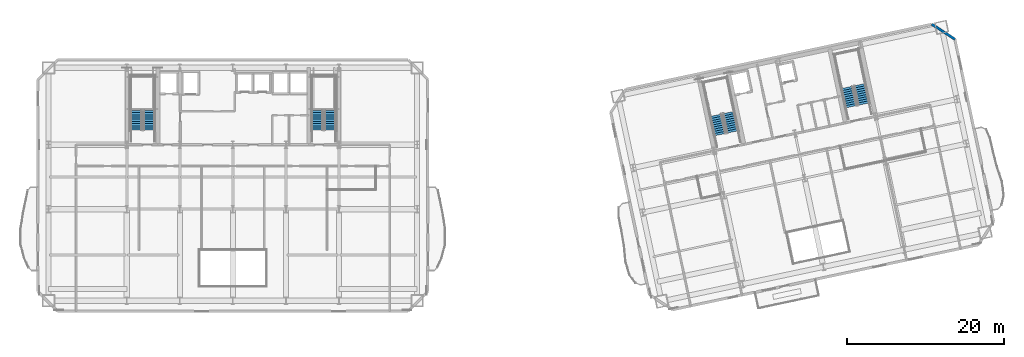
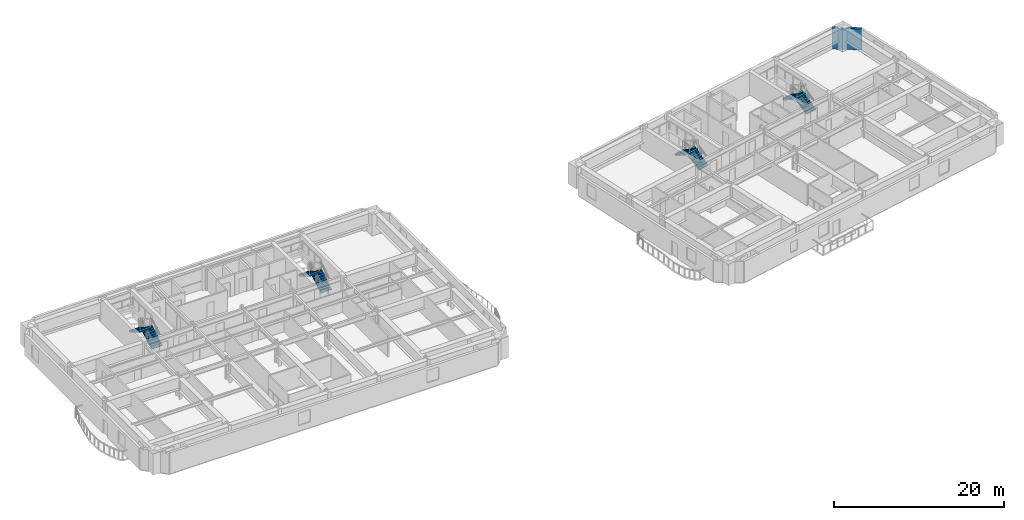
# One storey, part 11 of 16: 8 stair flights, 1 wall, 4 elements without a shape of their own.
"""IFC4 building model written with IfcOpenShell, lengths in metres."""

from ifc_helpers import new_model, si_unit, direction, frame, frame_2d, origin, place, context, subcontext, project, spatial, polyline, rectangle, outline, extrude, material, layer, layer_set, type_object, element, aggregate, save


model = new_model("IFC4")

# Units and contexts
model_context = context("Model", 3, precision=1e-05, world=origin(), true_north=direction((0.0, 1.0)))
body_context = subcontext(model_context, "Body", "Model", "MODEL_VIEW")
ifc_project = project(units=[si_unit("LENGTHUNIT", "METRE"), si_unit("AREAUNIT", "SQUARE_METRE"), si_unit("VOLUMEUNIT", "CUBIC_METRE"), si_unit("PLANEANGLEUNIT", "RADIAN"), si_unit("MASSUNIT", "GRAM", prefix="KILO")], contexts=[model_context])

# Site, building, storey
site_placement = place(None, origin())
site = spatial("IfcSite", under=ifc_project, at=site_placement, CompositionType="ELEMENT")
building_placement = place(site_placement, origin())
building = spatial("IfcBuilding", under=site, at=building_placement, Name="Haevon Station Towers", CompositionType="ELEMENT")
storey_placement = place(building_placement, frame((0.0, 0.0, 90.0)))
storey = spatial("IfcBuildingStorey", under=building, at=storey_placement, Name="L23", CompositionType="ELEMENT", Elevation=90.0)

# Wall
ifc_material_1 = material(Name="Precast concrete C45/55", Category="concrete")
ifc_layer = layer(ifc_material_1, 0.320068359375)
ifc_layer_set = layer_set([ifc_layer], Name="Precast concrete C45/55")
wall_type = type_object("IfcWallType", Name="WL-EXT-PIER320", PredefinedType="SOLIDWALL", material=ifc_layer_set)
wall_placement = place(storey_placement, frame((126.408935546875, 53.54443359375, 0.0), z_axis=(0.0, 0.0, 1.0), x_axis=(0.838672309694, -0.544636352948, 0.0)))
element("IfcWall", 1, at=wall_placement, inside=storey, type_object=wall_type, Name="WL-T2-L23-NEC", PredefinedType="SOLIDWALL", context=body_context, shape_type="SweptSolid", body=[
    extrude(rectangle(XDim=3.535400390625, YDim=0.320068359375, at=frame_2d((1.767578125, 0.0))), origin(), (0.0, 0.0, 1.0), 3.030029296875),
])

# Stair, stair flights
ifc_material_2 = material(Name="Concrete C40/50", Category="concrete")
stair_type = type_object("IfcStairType", Name="STR-DL1450", PredefinedType="USERDEFINED", material=ifc_material_2)
stair_1_placement = place(storey_placement, origin())
stair_1 = element("IfcStair", 2, at=stair_1_placement, inside=storey, type_object=stair_type, Name="L23 Escape Stair ST1", ObjectType="TWO_RETURN_STAIR", PredefinedType="USERDEFINED")
stair_flight_type = type_object("IfcStairFlightType", Name="STF-ST1450", PredefinedType="STRAIGHT", material=ifc_material_2)
stair_flight_1_placement = place(storey_placement, frame((26.85498046875, 40.050048828125, 0.0), z_axis=(0.0, 0.0, 1.0), x_axis=(0.0, 1.0, 0.0)))
stair_flight_1 = element("IfcStairFlight", 3, at=stair_flight_1_placement, type_object=stair_flight_type, Name="L23 ST1 Flight 1", NumberOfRisers=10, NumberOfTreads=9, PredefinedType="STRAIGHT", RiserHeight=0.165, TreadLength=0.28, context=body_context, shape_type="SweptSolid", body=[
    extrude(outline(polyline([(0.0, 0.0), (0.0, 0.1650390625), (0.280029296875, 0.1650390625), (0.280029296875, 0.330078125), (0.56005859375, 0.330078125), (0.56005859375, 0.4951171875), (0.840087890625, 0.4951171875), (0.840087890625, 0.659912109375), (1.1201171875, 0.659912109375), (1.1201171875, 0.824951171875), (1.39990234375, 0.824951171875), (1.39990234375, 0.989990234375), (1.679931640625, 0.989990234375), (1.679931640625, 1.155029296875), (1.9599609375, 1.155029296875), (1.9599609375, 1.320068359375), (2.239990234375, 1.320068359375), (2.239990234375, 1.485107421875), (2.52001953125, 1.485107421875), (2.52001953125, 1.64990234375), (2.52001953125, 1.29931640625), (0.31494140625, 0.0), (0.0, 0.0)])), frame((0.0, 0.72509765625, 0.0), z_axis=(0.0, -1.0, 0.0), x_axis=(1.0, 0.0, 0.0)), (0.0, 0.0, 1.0), 1.449951171875),
])
stair_flight_2_placement = place(storey_placement, frame((25.205078125, 42.570068359375, 1.64990234375), z_axis=(0.0, 0.0, 1.0), x_axis=(0.0, -1.0, 0.0)))
stair_flight_2 = element("IfcStairFlight", 4, at=stair_flight_2_placement, type_object=stair_flight_type, Name="L23 ST1 Flight 2", NumberOfRisers=10, NumberOfTreads=9, PredefinedType="STRAIGHT", RiserHeight=0.165, TreadLength=0.28, context=body_context, shape_type="SweptSolid", body=[
    extrude(outline(polyline([(0.0, 0.0), (0.0, 0.1650390625), (0.280029296875, 0.1650390625), (0.280029296875, 0.330078125), (0.56005859375, 0.330078125), (0.56005859375, 0.4951171875), (0.840087890625, 0.4951171875), (0.840087890625, 0.659912109375), (1.1201171875, 0.659912109375), (1.1201171875, 0.824951171875), (1.39990234375, 0.824951171875), (1.39990234375, 0.989990234375), (1.679931640625, 0.989990234375), (1.679931640625, 1.155029296875), (1.9599609375, 1.155029296875), (1.9599609375, 1.320068359375), (2.239990234375, 1.320068359375), (2.239990234375, 1.485107421875), (2.52001953125, 1.485107421875), (2.52001953125, 1.64990234375), (2.52001953125, 1.29931640625), (0.31494140625, 0.0), (0.0, 0.0)])), frame((0.0, 0.72509765625, 0.0), z_axis=(0.0, -1.0, 0.0), x_axis=(1.0, 0.0, 0.0)), (0.0, 0.0, 1.0), 1.449951171875),
])
aggregate(stair_1, [stair_flight_1, stair_flight_2])

stair_2_placement = place(storey_placement, origin())
stair_2 = element("IfcStair", 5, at=stair_2_placement, inside=storey, type_object=stair_type, Name="L23 Escape Stair ST2", ObjectType="TWO_RETURN_STAIR", PredefinedType="USERDEFINED")
stair_flight_3_placement = place(storey_placement, frame((49.89501953125, 40.050048828125, 0.0), z_axis=(0.0, 0.0, 1.0), x_axis=(0.0, 1.0, 0.0)))
stair_flight_3 = element("IfcStairFlight", 6, at=stair_flight_3_placement, type_object=stair_flight_type, Name="L23 ST2 Flight 1", NumberOfRisers=10, NumberOfTreads=9, PredefinedType="STRAIGHT", RiserHeight=0.165, TreadLength=0.28, context=body_context, shape_type="SweptSolid", body=[
    extrude(outline(polyline([(0.0, 0.0), (0.0, 0.1650390625), (0.280029296875, 0.1650390625), (0.280029296875, 0.330078125), (0.56005859375, 0.330078125), (0.56005859375, 0.4951171875), (0.840087890625, 0.4951171875), (0.840087890625, 0.659912109375), (1.1201171875, 0.659912109375), (1.1201171875, 0.824951171875), (1.39990234375, 0.824951171875), (1.39990234375, 0.989990234375), (1.679931640625, 0.989990234375), (1.679931640625, 1.155029296875), (1.9599609375, 1.155029296875), (1.9599609375, 1.320068359375), (2.239990234375, 1.320068359375), (2.239990234375, 1.485107421875), (2.52001953125, 1.485107421875), (2.52001953125, 1.64990234375), (2.52001953125, 1.29931640625), (0.31494140625, 0.0), (0.0, 0.0)])), frame((0.0, 0.72509765625, 0.0), z_axis=(0.0, -1.0, 0.0), x_axis=(1.0, 0.0, 0.0)), (0.0, 0.0, 1.0), 1.449951171875),
])
stair_flight_4_placement = place(storey_placement, frame((48.2451171875, 42.570068359375, 1.64990234375), z_axis=(0.0, 0.0, 1.0), x_axis=(0.0, -1.0, 0.0)))
stair_flight_4 = element("IfcStairFlight", 7, at=stair_flight_4_placement, type_object=stair_flight_type, Name="L23 ST2 Flight 2", NumberOfRisers=10, NumberOfTreads=9, PredefinedType="STRAIGHT", RiserHeight=0.165, TreadLength=0.28, context=body_context, shape_type="SweptSolid", body=[
    extrude(outline(polyline([(0.0, 0.0), (0.0, 0.1650390625), (0.280029296875, 0.1650390625), (0.280029296875, 0.330078125), (0.56005859375, 0.330078125), (0.56005859375, 0.4951171875), (0.840087890625, 0.4951171875), (0.840087890625, 0.659912109375), (1.1201171875, 0.659912109375), (1.1201171875, 0.824951171875), (1.39990234375, 0.824951171875), (1.39990234375, 0.989990234375), (1.679931640625, 0.989990234375), (1.679931640625, 1.155029296875), (1.9599609375, 1.155029296875), (1.9599609375, 1.320068359375), (2.239990234375, 1.320068359375), (2.239990234375, 1.485107421875), (2.52001953125, 1.485107421875), (2.52001953125, 1.64990234375), (2.52001953125, 1.29931640625), (0.31494140625, 0.0), (0.0, 0.0)])), frame((0.0, 0.72509765625, 0.0), z_axis=(0.0, -1.0, 0.0), x_axis=(1.0, 0.0, 0.0)), (0.0, 0.0, 1.0), 1.449951171875),
])
aggregate(stair_2, [stair_flight_3, stair_flight_4])

stair_3_placement = place(storey_placement, origin())
stair_3 = element("IfcStair", 8, at=stair_3_placement, inside=storey, type_object=stair_type, Name="L23 Escape Stair ST3", ObjectType="TWO_RETURN_STAIR", PredefinedType="USERDEFINED")
stair_flight_5_placement = place(storey_placement, frame((101.1015625, 39.8330078125, 0.0), z_axis=(0.0, 0.0, 1.0), x_axis=(-0.207911690818, 0.978147600734, 0.0)))
stair_flight_5 = element("IfcStairFlight", 9, at=stair_flight_5_placement, type_object=stair_flight_type, Name="L23 ST3 Flight 1", NumberOfRisers=10, NumberOfTreads=9, PredefinedType="STRAIGHT", RiserHeight=0.165, TreadLength=0.28, context=body_context, shape_type="SweptSolid", body=[
    extrude(outline(polyline([(0.0, 0.0), (0.0, 0.1650390625), (0.280029296875, 0.1650390625), (0.280029296875, 0.330078125), (0.56005859375, 0.330078125), (0.56005859375, 0.4951171875), (0.840087890625, 0.4951171875), (0.840087890625, 0.659912109375), (1.1201171875, 0.659912109375), (1.1201171875, 0.824951171875), (1.39990234375, 0.824951171875), (1.39990234375, 0.989990234375), (1.679931640625, 0.989990234375), (1.679931640625, 1.155029296875), (1.9599609375, 1.155029296875), (1.9599609375, 1.320068359375), (2.239990234375, 1.320068359375), (2.239990234375, 1.485107421875), (2.52001953125, 1.485107421875), (2.52001953125, 1.64990234375), (2.52001953125, 1.29931640625), (0.31494140625, 0.0), (0.0, 0.0)])), frame((0.0, 0.72509765625, 0.0), z_axis=(0.0, -1.0, 0.0), x_axis=(1.0, 0.0, 0.0)), (0.0, 0.0, 1.0), 1.449951171875),
])
stair_flight_6_placement = place(storey_placement, frame((98.9638671875, 41.955078125, 1.64990234375), z_axis=(0.0, 0.0, 1.0), x_axis=(0.207911690818, -0.978147600734, 0.0)))
stair_flight_6 = element("IfcStairFlight", 10, at=stair_flight_6_placement, type_object=stair_flight_type, Name="L23 ST3 Flight 2", NumberOfRisers=10, NumberOfTreads=9, PredefinedType="STRAIGHT", RiserHeight=0.165, TreadLength=0.28, context=body_context, shape_type="SweptSolid", body=[
    extrude(outline(polyline([(0.0, 0.0), (0.0, 0.1650390625), (0.280029296875, 0.1650390625), (0.280029296875, 0.330078125), (0.56005859375, 0.330078125), (0.56005859375, 0.4951171875), (0.840087890625, 0.4951171875), (0.840087890625, 0.659912109375), (1.1201171875, 0.659912109375), (1.1201171875, 0.824951171875), (1.39990234375, 0.824951171875), (1.39990234375, 0.989990234375), (1.679931640625, 0.989990234375), (1.679931640625, 1.155029296875), (1.9599609375, 1.155029296875), (1.9599609375, 1.320068359375), (2.239990234375, 1.320068359375), (2.239990234375, 1.485107421875), (2.52001953125, 1.485107421875), (2.52001953125, 1.64990234375), (2.52001953125, 1.29931640625), (0.31494140625, 0.0), (0.0, 0.0)])), frame((0.0, 0.72509765625, 0.0), z_axis=(0.0, -1.0, 0.0), x_axis=(1.0, 0.0, 0.0)), (0.0, 0.0, 1.0), 1.449951171875),
])
aggregate(stair_3, [stair_flight_5, stair_flight_6])

stair_4_placement = place(storey_placement, origin())
stair_4 = element("IfcStair", 11, at=stair_4_placement, inside=storey, type_object=stair_type, Name="L23 Escape Stair ST4", ObjectType="TWO_RETURN_STAIR", PredefinedType="USERDEFINED")
stair_flight_7_placement = place(storey_placement, frame((117.788818359375, 43.380126953125, 0.0), z_axis=(0.0, 0.0, 1.0), x_axis=(-0.207911690818, 0.978147600734, 0.0)))
stair_flight_7 = element("IfcStairFlight", 12, at=stair_flight_7_placement, type_object=stair_flight_type, Name="L23 ST4 Flight 1", NumberOfRisers=10, NumberOfTreads=9, PredefinedType="STRAIGHT", RiserHeight=0.165, TreadLength=0.28, context=body_context, shape_type="SweptSolid", body=[
    extrude(outline(polyline([(0.0, 0.0), (0.0, 0.1650390625), (0.280029296875, 0.1650390625), (0.280029296875, 0.330078125), (0.56005859375, 0.330078125), (0.56005859375, 0.4951171875), (0.840087890625, 0.4951171875), (0.840087890625, 0.659912109375), (1.1201171875, 0.659912109375), (1.1201171875, 0.824951171875), (1.39990234375, 0.824951171875), (1.39990234375, 0.989990234375), (1.679931640625, 0.989990234375), (1.679931640625, 1.155029296875), (1.9599609375, 1.155029296875), (1.9599609375, 1.320068359375), (2.239990234375, 1.320068359375), (2.239990234375, 1.485107421875), (2.52001953125, 1.485107421875), (2.52001953125, 1.64990234375), (2.52001953125, 1.29931640625), (0.31494140625, 0.0), (0.0, 0.0)])), frame((0.0, 0.72509765625, 0.0), z_axis=(0.0, -1.0, 0.0), x_axis=(1.0, 0.0, 0.0)), (0.0, 0.0, 1.0), 1.449951171875),
])
stair_flight_8_placement = place(storey_placement, frame((115.65087890625, 45.501953125, 1.64990234375), z_axis=(0.0, 0.0, 1.0), x_axis=(0.207911690818, -0.978147600734, 0.0)))
stair_flight_8 = element("IfcStairFlight", 13, at=stair_flight_8_placement, type_object=stair_flight_type, Name="L23 ST4 Flight 2", NumberOfRisers=10, NumberOfTreads=9, PredefinedType="STRAIGHT", RiserHeight=0.165, TreadLength=0.28, context=body_context, shape_type="SweptSolid", body=[
    extrude(outline(polyline([(0.0, 0.0), (0.0, 0.1650390625), (0.280029296875, 0.1650390625), (0.280029296875, 0.330078125), (0.56005859375, 0.330078125), (0.56005859375, 0.4951171875), (0.840087890625, 0.4951171875), (0.840087890625, 0.659912109375), (1.1201171875, 0.659912109375), (1.1201171875, 0.824951171875), (1.39990234375, 0.824951171875), (1.39990234375, 0.989990234375), (1.679931640625, 0.989990234375), (1.679931640625, 1.155029296875), (1.9599609375, 1.155029296875), (1.9599609375, 1.320068359375), (2.239990234375, 1.320068359375), (2.239990234375, 1.485107421875), (2.52001953125, 1.485107421875), (2.52001953125, 1.64990234375), (2.52001953125, 1.29931640625), (0.31494140625, 0.0), (0.0, 0.0)])), frame((0.0, 0.72509765625, 0.0), z_axis=(0.0, -1.0, 0.0), x_axis=(1.0, 0.0, 0.0)), (0.0, 0.0, 1.0), 1.449951171875),
])
aggregate(stair_4, [stair_flight_7, stair_flight_8])

save(model, "model.ifc")
